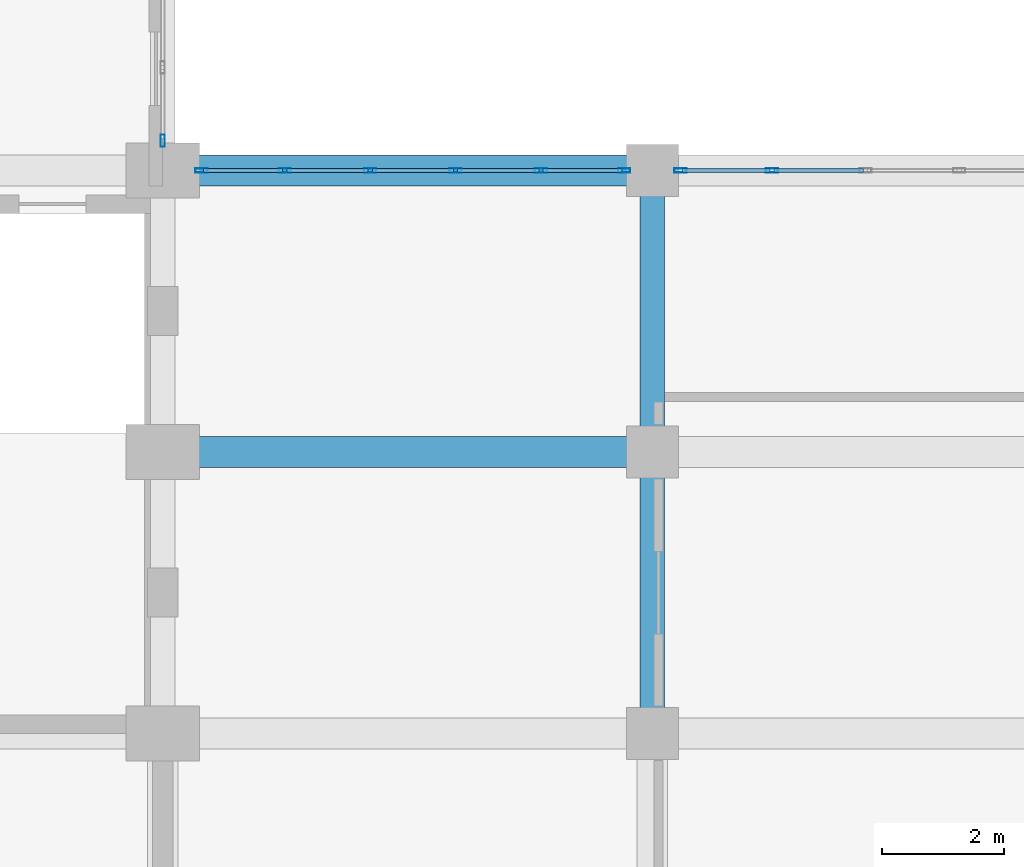
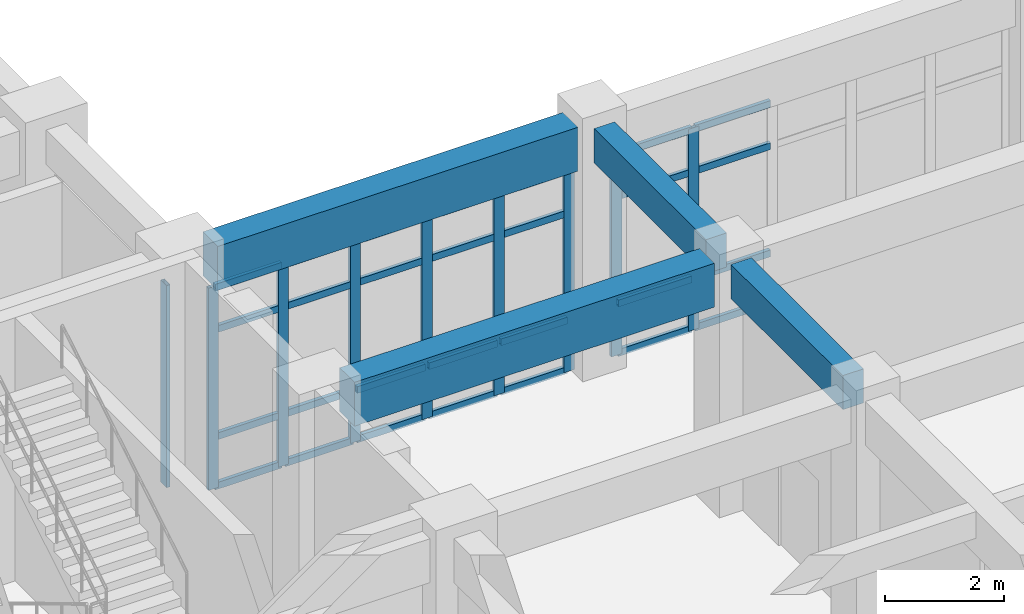
# One storey, part 32 of 84: 37 members, 4 beams, 3 elements without a shape of their own.
"""IFC4 building model written with IfcOpenShell, lengths in metres."""

import ifcopenshell
import ifcopenshell.guid

model = None  # the IFC model being written
_history = None  # IfcOwnerHistory: only IFC2X3 demands one
_inside = {}  # id of a spatial element -> (the spatial element, [elements in it])
_under = {}  # id of a project, library or spatial element -> (it, [spatial elements below it])
_declared = {}  # id of a project -> (the project, [libraries it declares])
_typed = {}  # id of a type object -> (the type object, [elements of that type])
_made_of = {}  # id of a material, layer set ... -> (it, [elements and type objects made of it])


def new_model(schema):
    """Start an empty IFC model of exactly this schema.

    Asked for "IFC4X3", IfcOpenShell would pick the latest addendum, in which some entities
    have other attributes; the version numbers below select the first issue.
    IFC2X3 requires an IfcOwnerHistory on every rooted entity: one is made here for all.
    """
    global model, _history
    if schema == "IFC4X3":
        model = ifcopenshell.file(schema_version=(4, 3, 0, 0))
    else:
        model = ifcopenshell.file(schema=schema)
    _inside.clear()
    _under.clear()
    _declared.clear()
    _typed.clear()
    _made_of.clear()
    _history = None
    if model.schema == "IFC2X3":
        org = make("IfcOrganization", Name="unknown")
        user = make(
            "IfcPersonAndOrganization",
            ThePerson=make("IfcPerson", FamilyName="unknown"),
            TheOrganization=org,
        )
        app = make(
            "IfcApplication",
            ApplicationDeveloper=org,
            Version="unknown",
            ApplicationFullName="unknown",
            ApplicationIdentifier="unknown",
        )
        _history = make(
            "IfcOwnerHistory",
            OwningUser=user,
            OwningApplication=app,
            ChangeAction="ADDED",
            CreationDate=0,
        )
    return model


def make(cls, **values):
    """One entity of the class cls with the attributes given. An attribute that is None is left unset."""
    return model.create_entity(
        cls, **{name: value for name, value in values.items() if value is not None}
    )


def rooted(cls, **values):
    """An entity with a GlobalId (a new one), such as an element, a storey or a relation."""
    return make(cls, GlobalId=ifcopenshell.guid.new(), OwnerHistory=_history, **values)


def si_unit(unit_type, name, prefix=None):
    """IfcSIUnit, for example si_unit("LENGTHUNIT", "METRE", prefix="MILLI")."""
    return make("IfcSIUnit", UnitType=unit_type, Prefix=prefix, Name=name)


def assignment(units):
    """IfcUnitAssignment: the units of a project."""
    return None if units is None else make("IfcUnitAssignment", Units=units)


def point(xyz):
    """IfcCartesianPoint."""
    return None if xyz is None else make("IfcCartesianPoint", Coordinates=xyz)


def direction(xyz):
    """IfcDirection."""
    return None if xyz is None else make("IfcDirection", DirectionRatios=xyz)


def frame(location, z_axis=None, x_axis=None):
    """IfcAxis2Placement3D, a coordinate frame: its origin and axes. An axis left out is left unset."""
    return make(
        "IfcAxis2Placement3D",
        Location=point(location),
        Axis=direction(z_axis),
        RefDirection=direction(x_axis),
    )


def frame_2d(location, x_axis=None):
    """IfcAxis2Placement2D, a coordinate frame in the plane: its origin and x axis."""
    return make(
        "IfcAxis2Placement2D", Location=point(location), RefDirection=direction(x_axis)
    )


def origin():
    """The frame at (0, 0, 0) with its axes left unset."""
    return frame((0.0, 0.0, 0.0))


def origin_2d():
    """The frame at (0, 0) in the plane with its x axis left unset."""
    return frame_2d((0.0, 0.0))


def place(relative_to, where):
    """IfcLocalPlacement: puts the frame where relative to a parent placement (None: the world)."""
    return make(
        "IfcLocalPlacement", PlacementRelTo=relative_to, RelativePlacement=where
    )


def context(
    kind, dimensions, precision=None, world=None, true_north=None, identifier=None
):
    """IfcGeometricRepresentationContext, for example the 3D "Model" context."""
    return make(
        "IfcGeometricRepresentationContext",
        ContextIdentifier=identifier,
        ContextType=kind,
        CoordinateSpaceDimension=dimensions,
        Precision=precision,
        WorldCoordinateSystem=world,
        TrueNorth=true_north,
    )


def subcontext(parent, identifier, kind, view, scale=None):
    """IfcGeometricRepresentationSubContext, for example "Body" below "Model"."""
    return make(
        "IfcGeometricRepresentationSubContext",
        ContextIdentifier=identifier,
        ContextType=kind,
        ParentContext=parent,
        TargetScale=scale,
        TargetView=view,
    )


def project(units=None, contexts=None):
    """IfcProject with its units and contexts."""
    return rooted(
        "IfcProject",
        Name="project",
        RepresentationContexts=contexts,
        UnitsInContext=assignment(units),
    )


def spatial(cls, under=None, at=None, **own):
    """A site, building, storey or space (cls), placed at a placement, below another one or the project."""
    s = rooted(cls, ObjectPlacement=at, **own)
    if under is not None:
        _under.setdefault(under.id(), (under, []))[1].append(s)
    return s


def profile(cls, at=None, kind="AREA", **sizes):
    """A parametric profile (cls). Its sizes go by their IFC names, for example OverallWidth=200.0."""
    return make(cls, ProfileType=kind, Position=at, **sizes)


def rectangle(**sizes):
    """IfcRectangleProfileDef."""
    return profile("IfcRectangleProfileDef", **sizes)


def hollow_rectangle(**sizes):
    """IfcRectangleHollowProfileDef."""
    return profile("IfcRectangleHollowProfileDef", **sizes)


def extrude(swept, where, along, depth):
    """IfcExtrudedAreaSolid: the profile swept, set in the frame where, extruded along a direction by depth."""
    return make(
        "IfcExtrudedAreaSolid",
        SweptArea=swept,
        Position=where,
        ExtrudedDirection=direction(along),
        Depth=depth,
    )


def shape(context_of_items, identifier, shape_type, items):
    """IfcShapeRepresentation: the items that make up one representation, for example the "Body"."""
    return make(
        "IfcShapeRepresentation",
        ContextOfItems=context_of_items,
        RepresentationIdentifier=identifier,
        RepresentationType=shape_type,
        Items=items,
    )


def material(Name=None, Category=None):
    """IfcMaterial."""
    return make("IfcMaterial", Name=Name, Category=Category)


def layer(
    of_material, thickness, ventilated=None, Name=None, Category=None, Priority=None
):
    """IfcMaterialLayer: one layer of a wall or slab, of a material (None: an air gap)."""
    return make(
        "IfcMaterialLayer",
        Material=of_material,
        LayerThickness=thickness,
        IsVentilated=ventilated,
        Name=Name,
        Category=Category,
        Priority=Priority,
    )


def layer_set(layers, Name=None):
    """IfcMaterialLayerSet."""
    return make("IfcMaterialLayerSet", MaterialLayers=layers, LayerSetName=Name)


def material_profile(
    of_material, cross_section, Name=None, Category=None, Priority=None
):
    """IfcMaterialProfile: a cross section and its material."""
    return make(
        "IfcMaterialProfile",
        Name=Name,
        Material=of_material,
        Profile=cross_section,
        Priority=Priority,
        Category=Category,
    )


def profile_set(profiles, Name=None, composite=None):
    """IfcMaterialProfileSet."""
    return make(
        "IfcMaterialProfileSet",
        Name=Name,
        MaterialProfiles=profiles,
        CompositeProfile=composite,
    )


def made_of(thing, what):
    """Note that an element or type object is made of a material, layer set ...; save() writes the relation."""
    if what is not None:
        _made_of.setdefault(what.id(), (what, []))[1].append(thing)
    return thing


def type_object(cls, material=None, **own):
    """A type object (cls), such as IfcWallType, which elements share."""
    return made_of(rooted(cls, **own), material)


def element(
    cls,
    number,
    at=None,
    inside=None,
    cuts=None,
    type_object=None,
    material=None,
    context=None,
    identifier="Body",
    shape_type=None,
    held_by="IfcProductDefinitionShape",
    body=None,
    shapes=None,
    **own,
):
    """One element of the class cls, such as IfcWall. Its Tag is "e" and its number.

    at: its placement. inside: the storey or other place that contains it. cuts: it is an
    opening in that element (IfcRelVoidsElement). A single representation is given by context,
    identifier, shape_type and body (its items); several are given by shapes. held_by: the class
    of the entity that holds the representations. save() writes the other relations.
    """
    e = rooted(cls, Tag="e%d" % number, ObjectPlacement=at, **own)
    if body is not None:
        shapes = [shape(context, identifier, shape_type, body)]
    if shapes is not None:
        e.Representation = make(held_by, Representations=shapes)
    if inside is not None:
        _inside.setdefault(inside.id(), (inside, []))[1].append(e)
    if cuts is not None:
        rooted(
            "IfcRelVoidsElement", RelatingBuildingElement=cuts, RelatedOpeningElement=e
        )
    if type_object is not None:
        _typed.setdefault(type_object.id(), (type_object, []))[1].append(e)
    return made_of(e, material)


def aggregate(whole, parts):
    """IfcRelAggregates: a whole, such as a stair, and the parts it consists of."""
    return rooted("IfcRelAggregates", RelatingObject=whole, RelatedObjects=parts)


def save(model, path):
    """Write the relations noted so far, then the file.

    IfcRelAggregates (storeys below a building ...), IfcRelContainedInSpatialStructure (elements
    in a storey), IfcRelDefinesByType, IfcRelAssociatesMaterial and IfcRelDeclares: one each for
    every whole, place, type object, material and project.
    """
    for whole, parts in _under.values():
        aggregate(whole, parts)
    for where, things in _inside.values():
        rooted(
            "IfcRelContainedInSpatialStructure",
            RelatedElements=things,
            RelatingStructure=where,
        )
    for kind, things in _typed.values():
        rooted("IfcRelDefinesByType", RelatedObjects=things, RelatingType=kind)
    for what, things in _made_of.values():
        rooted("IfcRelAssociatesMaterial", RelatedObjects=things, RelatingMaterial=what)
    for by, libraries in _declared.values():
        rooted("IfcRelDeclares", RelatingContext=by, RelatedDefinitions=libraries)
    model.write(path)


model = new_model("IFC4")

# Units and contexts
model_context = context("Model", 3, precision=1e-05, world=origin(), true_north=direction((0.0, 1.0)))
body_context = subcontext(model_context, "Body", "Model", "MODEL_VIEW")
ifc_project = project(units=[si_unit("LENGTHUNIT", "METRE"), si_unit("AREAUNIT", "SQUARE_METRE"), si_unit("VOLUMEUNIT", "CUBIC_METRE"), si_unit("PLANEANGLEUNIT", "RADIAN"), si_unit("MASSUNIT", "GRAM", prefix="KILO")], contexts=[model_context])

# Site, building, storey
site_placement = place(None, origin())
site = spatial("IfcSite", under=ifc_project, at=site_placement, CompositionType="ELEMENT")
building_placement = place(site_placement, origin())
building = spatial("IfcBuilding", under=site, at=building_placement, Name="Muzn Square Opera House", CompositionType="ELEMENT")
storey_placement = place(building_placement, origin())
storey = spatial("IfcBuildingStorey", under=building, at=storey_placement, Name="L00", CompositionType="ELEMENT", Elevation=0.0)

# Curtain wall, member
ifc_material_1 = material(Name="Low-E laminated acoustic double glazing", Category="glass")
ifc_layer_1 = layer(ifc_material_1, 0.159912109375, Name="Low-E laminated acoustic double glazing", Category="glass")
ifc_layer_set_1 = layer_set([ifc_layer_1], Name="Low-E laminated acoustic double glazing")
curtain_wall_type_1 = type_object("IfcCurtainWallType", Name="Glazed Curtain Wall EastVaultCourt 3700x4150", PredefinedType="USERDEFINED", material=ifc_layer_set_1)
curtain_wall_1_placement = place(storey_placement, origin())
curtain_wall_1 = element("IfcCurtainWall", 1, at=curtain_wall_1_placement, inside=storey, type_object=curtain_wall_type_1, Name="Glazed Curtain Wall CW-L00-030", ObjectType="GLAZED CURTAIN WALL", PredefinedType="USERDEFINED")
ifc_material_2 = material(Name="Anodised bronze aluminium 6063-T6", Category="metal")
ifc_material_profile_1 = material_profile(ifc_material_2, hollow_rectangle(XDim=0.070068359375, YDim=0.199951171875, WallThickness=0.0048828125, at=origin_2d()), Name="ALU 200x70x5", Category="metal")
ifc_profile_set_1 = profile_set([ifc_material_profile_1], Name="Anodised bronze aluminium 6063-T6")
member_type_1 = type_object("IfcMemberType", Name="Curtain Wall Mullion 200x70", PredefinedType="MULLION", material=ifc_profile_set_1)
member_1_placement = place(storey_placement, frame((133.0, 31.68505859375, 0.0), z_axis=(0.0, 0.0, 1.0), x_axis=(-1.0, 0.0, 0.0)))
member_1 = element("IfcMember", 2, at=member_1_placement, type_object=member_type_1, Name="CW-EVC-37x41 mullion 1", PredefinedType="MULLION", context=body_context, shape_type="SweptSolid", body=[
    extrude(hollow_rectangle(XDim=0.070068359375, YDim=0.199951171875, WallThickness=0.0048828125, at=origin_2d()), origin(), (0.0, 0.0, 1.0), 4.14990234375),
])
aggregate(curtain_wall_1, [member_1])

# Curtain wall, members
ifc_layer_2 = layer(ifc_material_1, 0.159912109375, Name="Low-E laminated acoustic double glazing", Category="glass")
ifc_layer_set_2 = layer_set([ifc_layer_2], Name="Low-E laminated acoustic double glazing")
curtain_wall_type_2 = type_object("IfcCurtainWallType", Name="Glazed Curtain Wall EastCloisterS 6975x4150", PredefinedType="USERDEFINED", material=ifc_layer_set_2)
curtain_wall_2_placement = place(storey_placement, origin())
curtain_wall_2 = element("IfcCurtainWall", 3, at=curtain_wall_2_placement, inside=storey, type_object=curtain_wall_type_2, Name="Glazed Curtain Wall CW-L00-075", ObjectType="GLAZED CURTAIN WALL", PredefinedType="USERDEFINED")
member_2_placement = place(storey_placement, frame((133.635009765625, 31.199951171875, 0.0), z_axis=(0.0, 0.0, 1.0), x_axis=(0.0, 1.0, 0.0)))
member_2 = element("IfcMember", 4, at=member_2_placement, type_object=member_type_1, Name="CW-ECS-69x41 mullion 1", PredefinedType="MULLION", context=body_context, shape_type="SweptSolid", body=[
    extrude(hollow_rectangle(XDim=0.070068359375, YDim=0.199951171875, WallThickness=0.0048828125, at=origin_2d()), origin(), (0.0, 0.0, 1.0), 4.14990234375),
])
member_3_placement = place(storey_placement, frame((134.9951171875, 31.199951171875, 0.0), z_axis=(0.0, 0.0, 1.0), x_axis=(0.0, 1.0, 0.0)))
member_3 = element("IfcMember", 5, at=member_3_placement, type_object=member_type_1, Name="CW-ECS-69x41 mullion 2", PredefinedType="MULLION", context=body_context, shape_type="SweptSolid", body=[
    extrude(hollow_rectangle(XDim=0.070068359375, YDim=0.199951171875, WallThickness=0.0048828125, at=origin_2d()), origin(), (0.0, 0.0, 1.0), 4.14990234375),
])
member_4_placement = place(storey_placement, frame((136.389892578125, 31.199951171875, 0.0), z_axis=(0.0, 0.0, 1.0), x_axis=(0.0, 1.0, 0.0)))
member_4 = element("IfcMember", 6, at=member_4_placement, type_object=member_type_1, Name="CW-ECS-69x41 mullion 3", PredefinedType="MULLION", context=body_context, shape_type="SweptSolid", body=[
    extrude(hollow_rectangle(XDim=0.070068359375, YDim=0.199951171875, WallThickness=0.0048828125, at=origin_2d()), origin(), (0.0, 0.0, 1.0), 4.14990234375),
])
member_5_placement = place(storey_placement, frame((137.784912109375, 31.199951171875, 0.0), z_axis=(0.0, 0.0, 1.0), x_axis=(0.0, 1.0, 0.0)))
member_5 = element("IfcMember", 7, at=member_5_placement, type_object=member_type_1, Name="CW-ECS-69x41 mullion 4", PredefinedType="MULLION", context=body_context, shape_type="SweptSolid", body=[
    extrude(hollow_rectangle(XDim=0.070068359375, YDim=0.199951171875, WallThickness=0.0048828125, at=origin_2d()), origin(), (0.0, 0.0, 1.0), 4.14990234375),
])
member_6_placement = place(storey_placement, frame((139.179931640625, 31.199951171875, 0.0), z_axis=(0.0, 0.0, 1.0), x_axis=(0.0, 1.0, 0.0)))
member_6 = element("IfcMember", 8, at=member_6_placement, type_object=member_type_1, Name="CW-ECS-69x41 mullion 5", PredefinedType="MULLION", context=body_context, shape_type="SweptSolid", body=[
    extrude(hollow_rectangle(XDim=0.070068359375, YDim=0.199951171875, WallThickness=0.0048828125, at=origin_2d()), origin(), (0.0, 0.0, 1.0), 4.14990234375),
])
member_7_placement = place(storey_placement, frame((140.5400390625, 31.199951171875, 0.0), z_axis=(0.0, 0.0, 1.0), x_axis=(0.0, 1.0, 0.0)))
member_7 = element("IfcMember", 9, at=member_7_placement, type_object=member_type_1, Name="CW-ECS-69x41 mullion 6", PredefinedType="MULLION", context=body_context, shape_type="SweptSolid", body=[
    extrude(hollow_rectangle(XDim=0.070068359375, YDim=0.199951171875, WallThickness=0.0048828125, at=origin_2d()), origin(), (0.0, 0.0, 1.0), 4.14990234375),
])

ifc_layer_3 = layer(ifc_material_1, 0.159912109375, Name="Low-E laminated acoustic double glazing", Category="glass")
ifc_layer_set_3 = layer_set([ifc_layer_3], Name="Low-E laminated acoustic double glazing")
curtain_wall_type_3 = type_object("IfcCurtainWallType", Name="Glazed Curtain Wall EastCloisterS 7650x4150", PredefinedType="USERDEFINED", material=ifc_layer_set_3)
curtain_wall_3_placement = place(storey_placement, origin())
curtain_wall_3 = element("IfcCurtainWall", 10, at=curtain_wall_3_placement, inside=storey, type_object=curtain_wall_type_3, Name="Glazed Curtain Wall CW-L00-077", ObjectType="GLAZED CURTAIN WALL", PredefinedType="USERDEFINED")
member_8_placement = place(storey_placement, frame((141.4599609375, 31.199951171875, 0.0), z_axis=(0.0, 0.0, 1.0), x_axis=(0.0, 1.0, 0.0)))
member_8 = element("IfcMember", 11, at=member_8_placement, type_object=member_type_1, Name="CW-ECS-76x41 mullion 1", PredefinedType="MULLION", context=body_context, shape_type="SweptSolid", body=[
    extrude(hollow_rectangle(XDim=0.070068359375, YDim=0.199951171875, WallThickness=0.0048828125, at=origin_2d()), origin(), (0.0, 0.0, 1.0), 4.14990234375),
])
member_9_placement = place(storey_placement, frame((142.955078125, 31.199951171875, 0.0), z_axis=(0.0, 0.0, 1.0), x_axis=(0.0, 1.0, 0.0)))
member_9 = element("IfcMember", 12, at=member_9_placement, type_object=member_type_1, Name="CW-ECS-76x41 mullion 2", PredefinedType="MULLION", context=body_context, shape_type="SweptSolid", body=[
    extrude(hollow_rectangle(XDim=0.070068359375, YDim=0.199951171875, WallThickness=0.0048828125, at=origin_2d()), origin(), (0.0, 0.0, 1.0), 4.14990234375),
])

# Member
ifc_material_profile_2 = material_profile(ifc_material_2, hollow_rectangle(XDim=0.070068359375, YDim=0.139892578125, WallThickness=0.00390625, at=origin_2d()), Name="ALU 140x70x4", Category="metal")
ifc_profile_set_2 = profile_set([ifc_material_profile_2], Name="Anodised bronze aluminium 6063-T6")
member_type_2 = type_object("IfcMemberType", Name="Curtain Wall Transom 140x70", PredefinedType="USERDEFINED", material=ifc_profile_set_2)
member_10_placement = place(storey_placement, frame((133.669921875, 31.199951171875, 0.034912109375), z_axis=(1.0, 0.0, 0.0), x_axis=(0.0, 1.0, 0.0)))
member_10 = element("IfcMember", 13, at=member_10_placement, type_object=member_type_2, Name="CW-ECS-69x41 transom 1.1", ObjectType="TRANSOM", PredefinedType="USERDEFINED", context=body_context, shape_type="SweptSolid", body=[
    extrude(hollow_rectangle(XDim=0.070068359375, YDim=0.139892578125, WallThickness=0.00390625, at=origin_2d()), origin(), (0.0, 0.0, 1.0), 1.2900390625),
])

member_11_placement = place(storey_placement, frame((133.669921875, 31.199951171875, 1.050048828125), z_axis=(1.0, 0.0, 0.0), x_axis=(0.0, 1.0, 0.0)))
member_11 = element("IfcMember", 14, at=member_11_placement, type_object=member_type_2, Name="CW-ECS-69x41 transom 1.2", ObjectType="TRANSOM", PredefinedType="USERDEFINED", context=body_context, shape_type="SweptSolid", body=[
    extrude(hollow_rectangle(XDim=0.070068359375, YDim=0.139892578125, WallThickness=0.00390625, at=origin_2d()), origin(), (0.0, 0.0, 1.0), 1.2900390625),
])

member_12_placement = place(storey_placement, frame((133.669921875, 31.199951171875, 3.25), z_axis=(1.0, 0.0, 0.0), x_axis=(0.0, 1.0, 0.0)))
member_12 = element("IfcMember", 15, at=member_12_placement, type_object=member_type_2, Name="CW-ECS-69x41 transom 1.3", ObjectType="TRANSOM", PredefinedType="USERDEFINED", context=body_context, shape_type="SweptSolid", body=[
    extrude(hollow_rectangle(XDim=0.070068359375, YDim=0.139892578125, WallThickness=0.00390625, at=origin_2d()), origin(), (0.0, 0.0, 1.0), 1.2900390625),
])

member_13_placement = place(storey_placement, frame((133.669921875, 31.199951171875, 4.114990234375), z_axis=(1.0, 0.0, 0.0), x_axis=(0.0, 1.0, 0.0)))
member_13 = element("IfcMember", 16, at=member_13_placement, type_object=member_type_2, Name="CW-ECS-69x41 transom 1.4", ObjectType="TRANSOM", PredefinedType="USERDEFINED", context=body_context, shape_type="SweptSolid", body=[
    extrude(hollow_rectangle(XDim=0.070068359375, YDim=0.139892578125, WallThickness=0.00390625, at=origin_2d()), origin(), (0.0, 0.0, 1.0), 1.2900390625),
])

member_14_placement = place(storey_placement, frame((135.030029296875, 31.199951171875, 0.034912109375), z_axis=(1.0, 0.0, 0.0), x_axis=(0.0, 1.0, 0.0)))
member_14 = element("IfcMember", 17, at=member_14_placement, type_object=member_type_2, Name="CW-ECS-69x41 transom 2.1", ObjectType="TRANSOM", PredefinedType="USERDEFINED", context=body_context, shape_type="SweptSolid", body=[
    extrude(hollow_rectangle(XDim=0.070068359375, YDim=0.139892578125, WallThickness=0.00390625, at=origin_2d()), origin(), (0.0, 0.0, 1.0), 1.324951171875),
])

member_15_placement = place(storey_placement, frame((135.030029296875, 31.199951171875, 1.050048828125), z_axis=(1.0, 0.0, 0.0), x_axis=(0.0, 1.0, 0.0)))
member_15 = element("IfcMember", 18, at=member_15_placement, type_object=member_type_2, Name="CW-ECS-69x41 transom 2.2", ObjectType="TRANSOM", PredefinedType="USERDEFINED", context=body_context, shape_type="SweptSolid", body=[
    extrude(hollow_rectangle(XDim=0.070068359375, YDim=0.139892578125, WallThickness=0.00390625, at=origin_2d()), origin(), (0.0, 0.0, 1.0), 1.324951171875),
])

member_16_placement = place(storey_placement, frame((135.030029296875, 31.199951171875, 3.25), z_axis=(1.0, 0.0, 0.0), x_axis=(0.0, 1.0, 0.0)))
member_16 = element("IfcMember", 19, at=member_16_placement, type_object=member_type_2, Name="CW-ECS-69x41 transom 2.3", ObjectType="TRANSOM", PredefinedType="USERDEFINED", context=body_context, shape_type="SweptSolid", body=[
    extrude(hollow_rectangle(XDim=0.070068359375, YDim=0.139892578125, WallThickness=0.00390625, at=origin_2d()), origin(), (0.0, 0.0, 1.0), 1.324951171875),
])

member_17_placement = place(storey_placement, frame((135.030029296875, 31.199951171875, 4.114990234375), z_axis=(1.0, 0.0, 0.0), x_axis=(0.0, 1.0, 0.0)))
member_17 = element("IfcMember", 20, at=member_17_placement, type_object=member_type_2, Name="CW-ECS-69x41 transom 2.4", ObjectType="TRANSOM", PredefinedType="USERDEFINED", context=body_context, shape_type="SweptSolid", body=[
    extrude(hollow_rectangle(XDim=0.070068359375, YDim=0.139892578125, WallThickness=0.00390625, at=origin_2d()), origin(), (0.0, 0.0, 1.0), 1.324951171875),
])

member_18_placement = place(storey_placement, frame((136.425048828125, 31.199951171875, 0.034912109375), z_axis=(1.0, 0.0, 0.0), x_axis=(0.0, 1.0, 0.0)))
member_18 = element("IfcMember", 21, at=member_18_placement, type_object=member_type_2, Name="CW-ECS-69x41 transom 3.1", ObjectType="TRANSOM", PredefinedType="USERDEFINED", context=body_context, shape_type="SweptSolid", body=[
    extrude(hollow_rectangle(XDim=0.070068359375, YDim=0.139892578125, WallThickness=0.00390625, at=origin_2d()), origin(), (0.0, 0.0, 1.0), 1.324951171875),
])

member_19_placement = place(storey_placement, frame((136.425048828125, 31.199951171875, 1.050048828125), z_axis=(1.0, 0.0, 0.0), x_axis=(0.0, 1.0, 0.0)))
member_19 = element("IfcMember", 22, at=member_19_placement, type_object=member_type_2, Name="CW-ECS-69x41 transom 3.2", ObjectType="TRANSOM", PredefinedType="USERDEFINED", context=body_context, shape_type="SweptSolid", body=[
    extrude(hollow_rectangle(XDim=0.070068359375, YDim=0.139892578125, WallThickness=0.00390625, at=origin_2d()), origin(), (0.0, 0.0, 1.0), 1.324951171875),
])

member_20_placement = place(storey_placement, frame((136.425048828125, 31.199951171875, 3.25), z_axis=(1.0, 0.0, 0.0), x_axis=(0.0, 1.0, 0.0)))
member_20 = element("IfcMember", 23, at=member_20_placement, type_object=member_type_2, Name="CW-ECS-69x41 transom 3.3", ObjectType="TRANSOM", PredefinedType="USERDEFINED", context=body_context, shape_type="SweptSolid", body=[
    extrude(hollow_rectangle(XDim=0.070068359375, YDim=0.139892578125, WallThickness=0.00390625, at=origin_2d()), origin(), (0.0, 0.0, 1.0), 1.324951171875),
])

member_21_placement = place(storey_placement, frame((136.425048828125, 31.199951171875, 4.114990234375), z_axis=(1.0, 0.0, 0.0), x_axis=(0.0, 1.0, 0.0)))
member_21 = element("IfcMember", 24, at=member_21_placement, type_object=member_type_2, Name="CW-ECS-69x41 transom 3.4", ObjectType="TRANSOM", PredefinedType="USERDEFINED", context=body_context, shape_type="SweptSolid", body=[
    extrude(hollow_rectangle(XDim=0.070068359375, YDim=0.139892578125, WallThickness=0.00390625, at=origin_2d()), origin(), (0.0, 0.0, 1.0), 1.324951171875),
])

member_22_placement = place(storey_placement, frame((137.820068359375, 31.199951171875, 0.034912109375), z_axis=(1.0, 0.0, 0.0), x_axis=(0.0, 1.0, 0.0)))
member_22 = element("IfcMember", 25, at=member_22_placement, type_object=member_type_2, Name="CW-ECS-69x41 transom 4.1", ObjectType="TRANSOM", PredefinedType="USERDEFINED", context=body_context, shape_type="SweptSolid", body=[
    extrude(hollow_rectangle(XDim=0.070068359375, YDim=0.139892578125, WallThickness=0.00390625, at=origin_2d()), origin(), (0.0, 0.0, 1.0), 1.324951171875),
])

member_23_placement = place(storey_placement, frame((137.820068359375, 31.199951171875, 1.050048828125), z_axis=(1.0, 0.0, 0.0), x_axis=(0.0, 1.0, 0.0)))
member_23 = element("IfcMember", 26, at=member_23_placement, type_object=member_type_2, Name="CW-ECS-69x41 transom 4.2", ObjectType="TRANSOM", PredefinedType="USERDEFINED", context=body_context, shape_type="SweptSolid", body=[
    extrude(hollow_rectangle(XDim=0.070068359375, YDim=0.139892578125, WallThickness=0.00390625, at=origin_2d()), origin(), (0.0, 0.0, 1.0), 1.324951171875),
])

member_24_placement = place(storey_placement, frame((137.820068359375, 31.199951171875, 3.25), z_axis=(1.0, 0.0, 0.0), x_axis=(0.0, 1.0, 0.0)))
member_24 = element("IfcMember", 27, at=member_24_placement, type_object=member_type_2, Name="CW-ECS-69x41 transom 4.3", ObjectType="TRANSOM", PredefinedType="USERDEFINED", context=body_context, shape_type="SweptSolid", body=[
    extrude(hollow_rectangle(XDim=0.070068359375, YDim=0.139892578125, WallThickness=0.00390625, at=origin_2d()), origin(), (0.0, 0.0, 1.0), 1.324951171875),
])

member_25_placement = place(storey_placement, frame((137.820068359375, 31.199951171875, 4.114990234375), z_axis=(1.0, 0.0, 0.0), x_axis=(0.0, 1.0, 0.0)))
member_25 = element("IfcMember", 28, at=member_25_placement, type_object=member_type_2, Name="CW-ECS-69x41 transom 4.4", ObjectType="TRANSOM", PredefinedType="USERDEFINED", context=body_context, shape_type="SweptSolid", body=[
    extrude(hollow_rectangle(XDim=0.070068359375, YDim=0.139892578125, WallThickness=0.00390625, at=origin_2d()), origin(), (0.0, 0.0, 1.0), 1.324951171875),
])

member_26_placement = place(storey_placement, frame((139.215087890625, 31.199951171875, 0.034912109375), z_axis=(1.0, 0.0, 0.0), x_axis=(0.0, 1.0, 0.0)))
member_26 = element("IfcMember", 29, at=member_26_placement, type_object=member_type_2, Name="CW-ECS-69x41 transom 5.1", ObjectType="TRANSOM", PredefinedType="USERDEFINED", context=body_context, shape_type="SweptSolid", body=[
    extrude(hollow_rectangle(XDim=0.070068359375, YDim=0.139892578125, WallThickness=0.00390625, at=origin_2d()), origin(), (0.0, 0.0, 1.0), 1.289794921875),
])

member_27_placement = place(storey_placement, frame((139.215087890625, 31.199951171875, 1.050048828125), z_axis=(1.0, 0.0, 0.0), x_axis=(0.0, 1.0, 0.0)))
member_27 = element("IfcMember", 30, at=member_27_placement, type_object=member_type_2, Name="CW-ECS-69x41 transom 5.2", ObjectType="TRANSOM", PredefinedType="USERDEFINED", context=body_context, shape_type="SweptSolid", body=[
    extrude(hollow_rectangle(XDim=0.070068359375, YDim=0.139892578125, WallThickness=0.00390625, at=origin_2d()), origin(), (0.0, 0.0, 1.0), 1.289794921875),
])

member_28_placement = place(storey_placement, frame((139.215087890625, 31.199951171875, 3.25), z_axis=(1.0, 0.0, 0.0), x_axis=(0.0, 1.0, 0.0)))
member_28 = element("IfcMember", 31, at=member_28_placement, type_object=member_type_2, Name="CW-ECS-69x41 transom 5.3", ObjectType="TRANSOM", PredefinedType="USERDEFINED", context=body_context, shape_type="SweptSolid", body=[
    extrude(hollow_rectangle(XDim=0.070068359375, YDim=0.139892578125, WallThickness=0.00390625, at=origin_2d()), origin(), (0.0, 0.0, 1.0), 1.289794921875),
])

member_29_placement = place(storey_placement, frame((139.215087890625, 31.199951171875, 4.114990234375), z_axis=(1.0, 0.0, 0.0), x_axis=(0.0, 1.0, 0.0)))
member_29 = element("IfcMember", 32, at=member_29_placement, type_object=member_type_2, Name="CW-ECS-69x41 transom 5.4", ObjectType="TRANSOM", PredefinedType="USERDEFINED", context=body_context, shape_type="SweptSolid", body=[
    extrude(hollow_rectangle(XDim=0.070068359375, YDim=0.139892578125, WallThickness=0.00390625, at=origin_2d()), origin(), (0.0, 0.0, 1.0), 1.289794921875),
])

aggregate(curtain_wall_2, [member_2, member_3, member_4, member_5, member_6, member_7, member_10, member_11, member_12, member_13, member_14, member_15, member_16, member_17, member_18, member_19, member_20, member_21, member_22, member_23, member_24, member_25, member_26, member_27, member_28, member_29])

member_30_placement = place(storey_placement, frame((141.4951171875, 31.199951171875, 0.034912109375), z_axis=(1.0, 0.0, 0.0), x_axis=(0.0, 1.0, 0.0)))
member_30 = element("IfcMember", 33, at=member_30_placement, type_object=member_type_2, Name="CW-ECS-76x41 transom 1.1", ObjectType="TRANSOM", PredefinedType="USERDEFINED", context=body_context, shape_type="SweptSolid", body=[
    extrude(hollow_rectangle(XDim=0.070068359375, YDim=0.139892578125, WallThickness=0.00390625, at=origin_2d()), origin(), (0.0, 0.0, 1.0), 1.4248046875),
])

member_31_placement = place(storey_placement, frame((141.4951171875, 31.199951171875, 1.050048828125), z_axis=(1.0, 0.0, 0.0), x_axis=(0.0, 1.0, 0.0)))
member_31 = element("IfcMember", 34, at=member_31_placement, type_object=member_type_2, Name="CW-ECS-76x41 transom 1.2", ObjectType="TRANSOM", PredefinedType="USERDEFINED", context=body_context, shape_type="SweptSolid", body=[
    extrude(hollow_rectangle(XDim=0.070068359375, YDim=0.139892578125, WallThickness=0.00390625, at=origin_2d()), origin(), (0.0, 0.0, 1.0), 1.4248046875),
])

member_32_placement = place(storey_placement, frame((141.4951171875, 31.199951171875, 3.25), z_axis=(1.0, 0.0, 0.0), x_axis=(0.0, 1.0, 0.0)))
member_32 = element("IfcMember", 35, at=member_32_placement, type_object=member_type_2, Name="CW-ECS-76x41 transom 1.3", ObjectType="TRANSOM", PredefinedType="USERDEFINED", context=body_context, shape_type="SweptSolid", body=[
    extrude(hollow_rectangle(XDim=0.070068359375, YDim=0.139892578125, WallThickness=0.00390625, at=origin_2d()), origin(), (0.0, 0.0, 1.0), 1.4248046875),
])

member_33_placement = place(storey_placement, frame((141.4951171875, 31.199951171875, 4.114990234375), z_axis=(1.0, 0.0, 0.0), x_axis=(0.0, 1.0, 0.0)))
member_33 = element("IfcMember", 36, at=member_33_placement, type_object=member_type_2, Name="CW-ECS-76x41 transom 1.4", ObjectType="TRANSOM", PredefinedType="USERDEFINED", context=body_context, shape_type="SweptSolid", body=[
    extrude(hollow_rectangle(XDim=0.070068359375, YDim=0.139892578125, WallThickness=0.00390625, at=origin_2d()), origin(), (0.0, 0.0, 1.0), 1.4248046875),
])

member_34_placement = place(storey_placement, frame((142.989990234375, 31.199951171875, 0.034912109375), z_axis=(1.0, 0.0, 0.0), x_axis=(0.0, 1.0, 0.0)))
member_34 = element("IfcMember", 37, at=member_34_placement, type_object=member_type_2, Name="CW-ECS-76x41 transom 2.1", ObjectType="TRANSOM", PredefinedType="USERDEFINED", context=body_context, shape_type="SweptSolid", body=[
    extrude(hollow_rectangle(XDim=0.070068359375, YDim=0.139892578125, WallThickness=0.00390625, at=origin_2d()), origin(), (0.0, 0.0, 1.0), 1.4599609375),
])

member_35_placement = place(storey_placement, frame((142.989990234375, 31.199951171875, 1.050048828125), z_axis=(1.0, 0.0, 0.0), x_axis=(0.0, 1.0, 0.0)))
member_35 = element("IfcMember", 38, at=member_35_placement, type_object=member_type_2, Name="CW-ECS-76x41 transom 2.2", ObjectType="TRANSOM", PredefinedType="USERDEFINED", context=body_context, shape_type="SweptSolid", body=[
    extrude(hollow_rectangle(XDim=0.070068359375, YDim=0.139892578125, WallThickness=0.00390625, at=origin_2d()), origin(), (0.0, 0.0, 1.0), 1.4599609375),
])

member_36_placement = place(storey_placement, frame((142.989990234375, 31.199951171875, 3.25), z_axis=(1.0, 0.0, 0.0), x_axis=(0.0, 1.0, 0.0)))
member_36 = element("IfcMember", 39, at=member_36_placement, type_object=member_type_2, Name="CW-ECS-76x41 transom 2.3", ObjectType="TRANSOM", PredefinedType="USERDEFINED", context=body_context, shape_type="SweptSolid", body=[
    extrude(hollow_rectangle(XDim=0.070068359375, YDim=0.139892578125, WallThickness=0.00390625, at=origin_2d()), origin(), (0.0, 0.0, 1.0), 1.4599609375),
])

member_37_placement = place(storey_placement, frame((142.989990234375, 31.199951171875, 4.114990234375), z_axis=(1.0, 0.0, 0.0), x_axis=(0.0, 1.0, 0.0)))
member_37 = element("IfcMember", 40, at=member_37_placement, type_object=member_type_2, Name="CW-ECS-76x41 transom 2.4", ObjectType="TRANSOM", PredefinedType="USERDEFINED", context=body_context, shape_type="SweptSolid", body=[
    extrude(hollow_rectangle(XDim=0.070068359375, YDim=0.139892578125, WallThickness=0.00390625, at=origin_2d()), origin(), (0.0, 0.0, 1.0), 1.4599609375),
])

aggregate(curtain_wall_3, [member_8, member_9, member_30, member_31, member_32, member_33, member_34, member_35, member_36, member_37])

# Beams
ifc_material_3 = material(Name="Concrete C40/50", Category="concrete")
ifc_material_profile_3 = material_profile(ifc_material_3, rectangle(XDim=0.39990234375, YDim=0.699951171875, at=origin_2d()), Name="RCB 400x700", Category="concrete")
ifc_profile_set_3 = profile_set([ifc_material_profile_3], Name="Concrete C40/50")
beam_type_1 = type_object("IfcBeamType", Name="Primary Girder 400x700", PredefinedType="BEAM", material=ifc_profile_set_3)
beam_1_placement = place(storey_placement, frame((141.0, 22.4169921875, 4.77001953125), z_axis=(0.0, 1.0, 0.0), x_axis=(-1.0, 0.0, 0.0)))
element("IfcBeam", 41, at=beam_1_placement, inside=storey, type_object=beam_type_1, Name="Primary Girder BM-L00-BM-PG700-1410_224_1410_262-1121", PredefinedType="BEAM", context=body_context, shape_type="SweptSolid", body=[
    extrude(rectangle(XDim=0.39990234375, YDim=0.699951171875, at=origin_2d()), origin(), (0.0, 0.0, 1.0), 3.76611328125),
])
beam_2_placement = place(storey_placement, frame((141.0, 27.01708984375, 4.77001953125), z_axis=(0.0, 1.0, 0.0), x_axis=(-1.0, 0.0, 0.0)))
element("IfcBeam", 42, at=beam_2_placement, inside=storey, type_object=beam_type_1, Name="Primary Girder BM-L00-BM-PG700-1410_270_1410_308-1122", PredefinedType="BEAM", context=body_context, shape_type="SweptSolid", body=[
    extrude(rectangle(XDim=0.39990234375, YDim=0.699951171875, at=origin_2d()), origin(), (0.0, 0.0, 1.0), 3.765869140625),
])
ifc_material_profile_4 = material_profile(ifc_material_3, rectangle(XDim=0.5, YDim=0.89990234375, at=origin_2d()), Name="RCB 500x900", Category="concrete")
ifc_profile_set_4 = profile_set([ifc_material_profile_4], Name="Concrete C40/50")
beam_type_2 = type_object("IfcBeamType", Name="Primary Girder 500x900", PredefinedType="BEAM", material=ifc_profile_set_4)
for number, where, z_axis, x_axis, name in (
    (43, (133.592041015625, 26.60009765625, 4.669921875), (1.0, 0.0, 0.0), (0.0, 1.0, 0.0), "Primary Girder BM-L00-BM-PG900-1336_266_1406_266-784"),
    (44, (133.592041015625, 31.199951171875, 4.669921875), (1.0, 0.0, 0.0), (0.0, 1.0, 0.0), "Primary Girder BM-L00-BM-PG900-1336_312_1406_312-803"),
):
    element("IfcBeam", number, at=place(storey_placement, frame(where, z_axis=z_axis, x_axis=x_axis)), inside=storey, type_object=beam_type_2, Name=name, PredefinedType="BEAM", context=body_context, shape_type="SweptSolid", body=[
        extrude(rectangle(XDim=0.5, YDim=0.89990234375, at=origin_2d()), origin(), (0.0, 0.0, 1.0), 6.990966796875),
    ])

save(model, "model.ifc")
